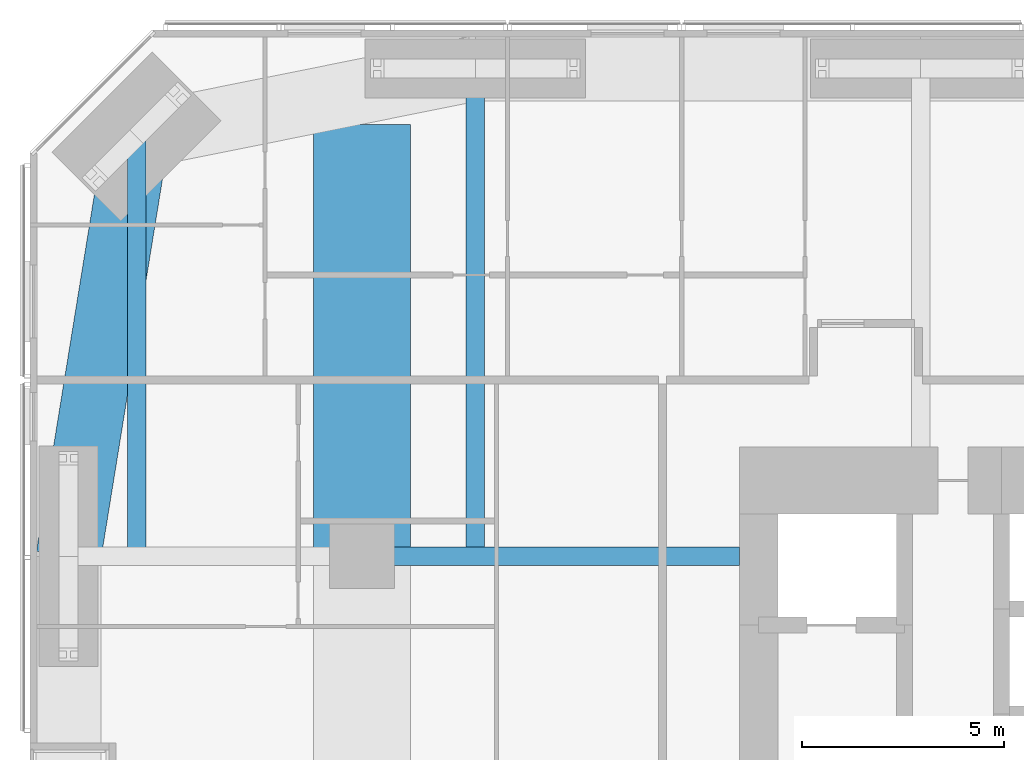
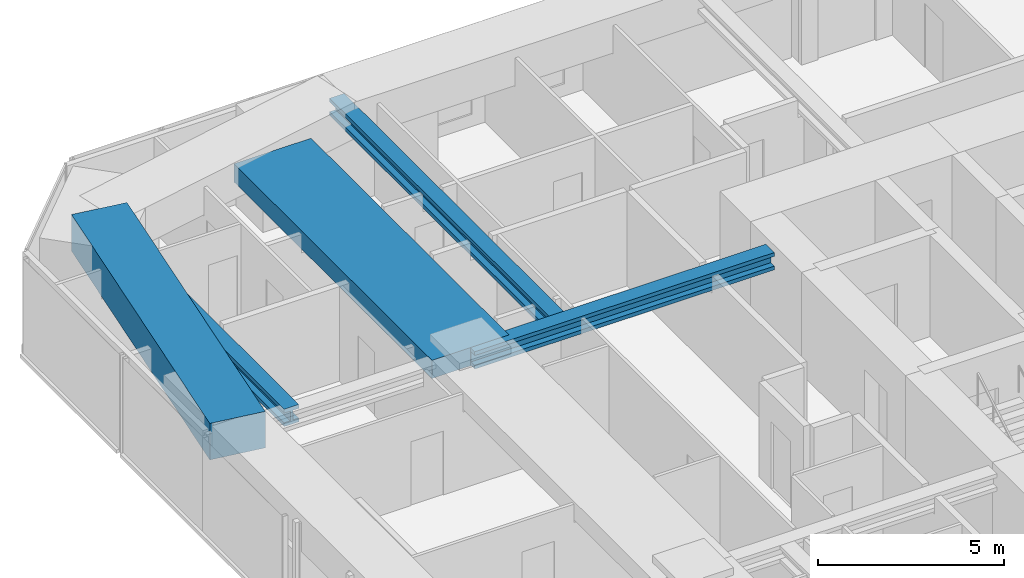
# One storey, part 7 of 23: 5 beams.
"""IFC4 building model written with IfcOpenShell, lengths in metres."""

from ifc_helpers import new_model, si_unit, direction, frame, origin, origin_2d, place, context, subcontext, project, spatial, rectangle, i_section, extrude, material, material_profile, profile_set, type_object, element, save


model = new_model("IFC4")

# Units and contexts
model_context = context("Model", 3, precision=1e-05, world=origin(), true_north=direction((0.0, 1.0)))
body_context = subcontext(model_context, "Body", "Model", "MODEL_VIEW")
ifc_project = project(units=[si_unit("LENGTHUNIT", "METRE"), si_unit("AREAUNIT", "SQUARE_METRE"), si_unit("VOLUMEUNIT", "CUBIC_METRE"), si_unit("PLANEANGLEUNIT", "RADIAN"), si_unit("MASSUNIT", "GRAM", prefix="KILO")], contexts=[model_context])

# Site, building, storey
site_placement = place(None, origin())
site = spatial("IfcSite", under=ifc_project, at=site_placement, CompositionType="ELEMENT")
building_placement = place(site_placement, origin())
building = spatial("IfcBuilding", under=site, at=building_placement, Name="Jalousie Tower", CompositionType="ELEMENT")
storey_placement = place(building_placement, frame((0.0, 0.0, 31.050048828125)))
storey = spatial("IfcBuildingStorey", under=building, at=storey_placement, Name="L07", CompositionType="ELEMENT", Elevation=31.050048828125)

# Beams
ifc_material_1 = material(Name="Steel ASTM A992 Grade 50", Category="steel")
ifc_material_profile_1 = material_profile(ifc_material_1, i_section(OverallWidth=0.45458984375, OverallDepth=0.569091796875, WebThickness=0.077880859375, FlangeThickness=0.124755859375, at=origin_2d()), Name="W14X730")
ifc_profile_set_1 = profile_set([ifc_material_profile_1], Name="Steel ASTM A992 Grade 50")
beam_type_1 = type_object("IfcBeamType", Name="LEAN COLLECTOR W14X730", PredefinedType="BEAM", material=ifc_profile_set_1)
beam_1_placement = place(storey_placement, frame((10.199951171875, 25.0, 2.825439453125), z_axis=(1.0, 0.0, 0.0), x_axis=(0.0, 1.0, 0.0)))
element("IfcBeam", 1, at=beam_1_placement, inside=storey, type_object=beam_type_1, Name="Lean collector under L08", PredefinedType="BEAM", context=body_context, shape_type="SweptSolid", body=[
    extrude(i_section(OverallWidth=0.45458984375, OverallDepth=0.569091796875, WebThickness=0.077880859375, FlangeThickness=0.124755859375, at=origin_2d()), origin(), (0.0, 0.0, 1.0), 9.324951171875),
])
beam_2_placement = place(storey_placement, frame((4.63134765625, 35.36865234375, 2.825439453125), z_axis=(0.0, -1.0, 0.0), x_axis=(1.0, 0.0, 0.0)))
element("IfcBeam", 2, at=beam_2_placement, inside=storey, type_object=beam_type_1, Name="Lean collector under L08", PredefinedType="BEAM", context=body_context, shape_type="SweptSolid", body=[
    extrude(i_section(OverallWidth=0.45458984375, OverallDepth=0.569091796875, WebThickness=0.077880859375, FlangeThickness=0.124755859375, at=origin_2d()), origin(), (0.0, 0.0, 1.0), 10.36865234375),
])
beam_3_placement = place(storey_placement, frame((13.0, 37.050048828125, 2.825439453125), z_axis=(0.0, -1.0, 0.0), x_axis=(1.0, 0.0, 0.0)))
element("IfcBeam", 3, at=beam_3_placement, inside=storey, type_object=beam_type_1, Name="Lean collector under L08", PredefinedType="BEAM", context=body_context, shape_type="SweptSolid", body=[
    extrude(i_section(OverallWidth=0.45458984375, OverallDepth=0.569091796875, WebThickness=0.077880859375, FlangeThickness=0.124755859375, at=origin_2d()), origin(), (0.0, 0.0, 1.0), 12.050048828125),
])
ifc_material_2 = material(Name="Concrete f'c 40 MPa", Category="concrete")
ifc_material_profile_2 = material_profile(ifc_material_2, rectangle(XDim=1.60009765625, YDim=1.199951171875, at=origin_2d()), Name="RC 1600x1200")
ifc_profile_set_2 = profile_set([ifc_material_profile_2], Name="Concrete f'c 40 MPa")
beam_type_2 = type_object("IfcBeamType", Name="RC BEAM 1600x1200", PredefinedType="BEAM", material=ifc_profile_set_2)
beam_4_placement = place(storey_placement, frame((4.63134765625, 35.36865234375, 2.75), z_axis=(-0.160070546476, -0.987105577003, 0.0), x_axis=(0.987105577003, -0.160070546476, 0.0)))
element("IfcBeam", 4, at=beam_4_placement, inside=storey, type_object=beam_type_2, Name="Edge band beam 12-13 under L08", PredefinedType="BEAM", context=body_context, shape_type="SweptSolid", body=[
    extrude(rectangle(XDim=1.60009765625, YDim=1.199951171875, at=origin_2d()), origin(), (0.0, 0.0, 1.0), 10.504150390625),
])
ifc_material_3 = material(Name="Concrete f'c 40 MPa", Category="concrete")
ifc_material_profile_3 = material_profile(ifc_material_3, rectangle(XDim=2.39990234375, YDim=0.60009765625, at=origin_2d()), Name="RC 2400x600")
ifc_profile_set_3 = profile_set([ifc_material_profile_3], Name="Concrete f'c 40 MPa")
beam_type_3 = type_object("IfcBeamType", Name="RC BEAM 2400x600", PredefinedType="BEAM", material=ifc_profile_set_3)
beam_5_placement = place(storey_placement, frame((10.199951171875, 25.0, 2.81005859375), z_axis=(0.0, 1.0, 0.0), x_axis=(-1.0, 0.0, 0.0)))
element("IfcBeam", 5, at=beam_5_placement, inside=storey, type_object=beam_type_3, Name="Floor band beam under L08", PredefinedType="BEAM", context=body_context, shape_type="SweptSolid", body=[
    extrude(rectangle(XDim=2.39990234375, YDim=0.60009765625, at=origin_2d()), origin(), (0.0, 0.0, 1.0), 10.67138671875),
])

save(model, "model.ifc")
